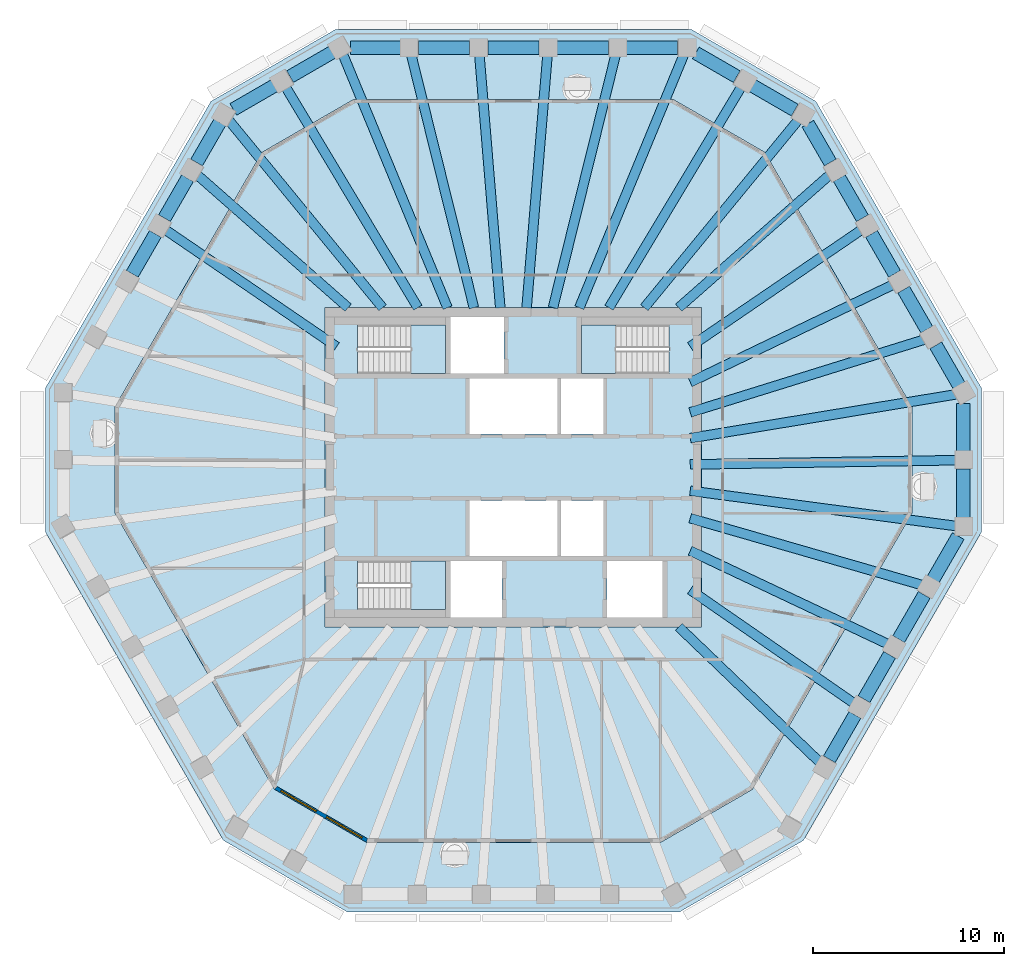
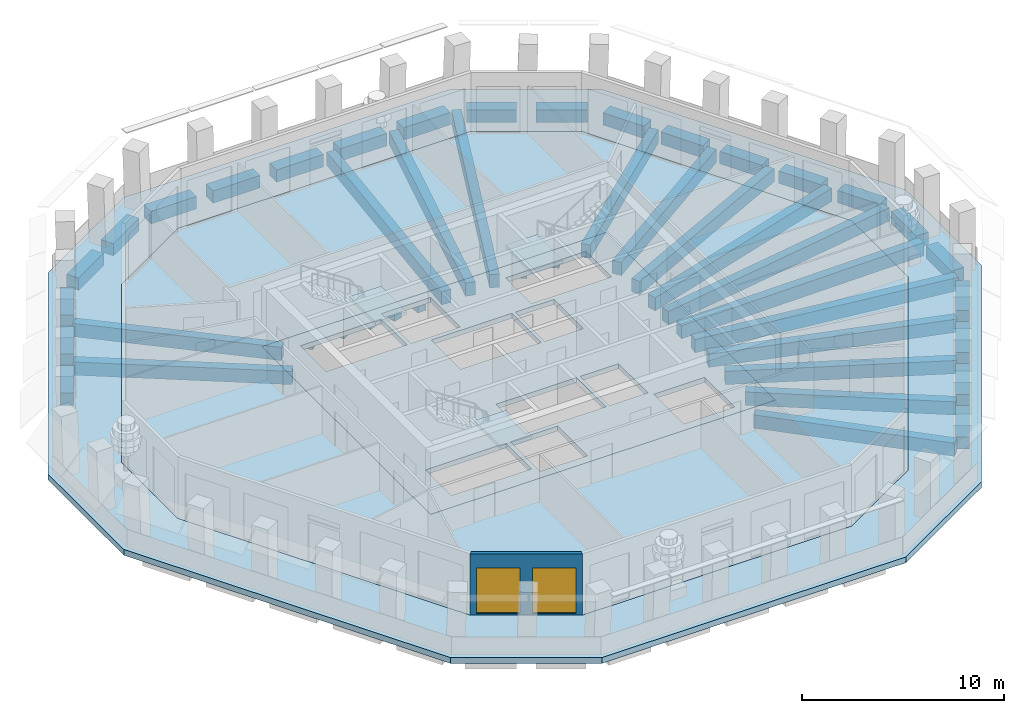
# One storey, part 2 of 11: 46 beams, 6 slabs, 2 windows, 1 wall, 2 openings, 3 elements without a shape of their own.
"""IFC4 building model written with IfcOpenShell, lengths in metres."""

from ifc_helpers import new_model, si_unit, direction, frame, frame_2d, origin, origin_2d, place, context, subcontext, project, spatial, polyline, rectangle, outline, extrude, material, layer, layer_set, material_profile, profile_set, type_object, element, fill, aggregate, save


model = new_model("IFC4")

# Units and contexts
model_context = context("Model", 3, precision=1e-05, world=origin(), true_north=direction((0.0, 1.0)))
body_context = subcontext(model_context, "Body", "Model", "MODEL_VIEW")
ifc_project = project(units=[si_unit("LENGTHUNIT", "METRE"), si_unit("AREAUNIT", "SQUARE_METRE"), si_unit("VOLUMEUNIT", "CUBIC_METRE"), si_unit("PLANEANGLEUNIT", "RADIAN"), si_unit("MASSUNIT", "GRAM", prefix="KILO")], contexts=[model_context])

# Site, building, storey
site_placement = place(None, origin())
site = spatial("IfcSite", under=ifc_project, at=site_placement, CompositionType="ELEMENT")
building_placement = place(site_placement, origin())
building = spatial("IfcBuilding", under=site, at=building_placement, Name="Frailejon Research Tower", CompositionType="ELEMENT")
storey_placement = place(building_placement, frame((0.0, 0.0, 275.0)))
storey = spatial("IfcBuildingStorey", under=building, at=storey_placement, Name="L60", CompositionType="ELEMENT", Elevation=275.0)

# Beams
ifc_material_1 = material(Name="Concrete C60/75", Category="concrete")
ifc_material_profile_1 = material_profile(ifc_material_1, rectangle(XDim=0.5, YDim=0.800048828125, at=origin_2d()), Name="Girder 500x800")
ifc_profile_set_1 = profile_set([ifc_material_profile_1], Name="Concrete C60/75")
beam_type_1 = type_object("IfcBeamType", Name="Girder 500x800", PredefinedType="BEAM", material=ifc_profile_set_1)
beam_1_placement = place(storey_placement, frame((23.215087890625, -3.08154296875, -0.699951171875), z_axis=(-0.991304470794, 0.131588168856, 0.0), x_axis=(-0.131588168856, -0.991304470794, 0.0)))
element("IfcBeam", 1, at=beam_1_placement, inside=storey, type_object=beam_type_1, Name="Girder 500x800", PredefinedType="BEAM", context=body_context, shape_type="SweptSolid", body=[
    extrude(rectangle(XDim=0.5, YDim=0.800048828125, at=origin_2d()), origin(), (0.0, 0.0, 1.0), 14.087646484375),
])
beam_2_placement = place(storey_placement, frame((23.216552734375, 0.371826171875, -0.699951171875), z_axis=(-0.999871832148, -0.016009974273, 0.0), x_axis=(0.016009974273, -0.999871832148, 0.0)))
element("IfcBeam", 2, at=beam_2_placement, inside=storey, type_object=beam_type_1, Name="Girder 500x800", PredefinedType="BEAM", context=body_context, shape_type="SweptSolid", body=[
    extrude(rectangle(XDim=0.5, YDim=0.800048828125, at=origin_2d()), origin(), (0.0, 0.0, 1.0), 13.96826171875),
])
beam_3_placement = place(storey_placement, frame((23.188720703125, 3.821044921875, -0.699951171875), z_axis=(-0.986693538595, -0.162591084916, 0.0), x_axis=(0.162591084916, -0.986693538595, 0.0)))
element("IfcBeam", 3, at=beam_3_placement, inside=storey, type_object=beam_type_1, Name="Girder 500x800", PredefinedType="BEAM", context=body_context, shape_type="SweptSolid", body=[
    extrude(rectangle(XDim=0.5, YDim=0.800048828125, at=origin_2d()), origin(), (0.0, 0.0, 1.0), 14.126708984375),
])
beam_4_placement = place(storey_placement, frame((21.53759765625, 6.69287109375, -0.699951171875), z_axis=(-0.95495479724, -0.296751301983, 0.0), x_axis=(0.296751301983, -0.95495479724, 0.0)))
element("IfcBeam", 4, at=beam_4_placement, inside=storey, type_object=beam_type_1, Name="Girder 500x800", PredefinedType="BEAM", context=body_context, shape_type="SweptSolid", body=[
    extrude(rectangle(XDim=0.5, YDim=0.800048828125, at=origin_2d()), origin(), (0.0, 0.0, 1.0), 12.8671875),
])
beam_5_placement = place(storey_placement, frame((19.8828125, 9.565185546875, -0.699951171875), z_axis=(-0.901143004074, -0.433521955854, 0.0), x_axis=(0.433521955854, -0.901143004074, 0.0)))
element("IfcBeam", 5, at=beam_5_placement, inside=storey, type_object=beam_type_1, Name="Girder 500x800", PredefinedType="BEAM", context=body_context, shape_type="SweptSolid", body=[
    extrude(rectangle(XDim=0.5, YDim=0.800048828125, at=origin_2d()), origin(), (0.0, 0.0, 1.0), 11.79931640625),
])
beam_6_placement = place(storey_placement, frame((18.22509765625, 12.4365234375, -0.699951171875), z_axis=(-0.826007659991, -0.563658891207, 0.0), x_axis=(0.563658891207, -0.826007659991, 0.0)))
element("IfcBeam", 6, at=beam_6_placement, inside=storey, type_object=beam_type_1, Name="Girder 500x800", PredefinedType="BEAM", context=body_context, shape_type="SweptSolid", body=[
    extrude(rectangle(XDim=0.5, YDim=0.800048828125, at=origin_2d()), origin(), (0.0, 0.0, 1.0), 10.86572265625),
])
beam_7_placement = place(storey_placement, frame((16.561279296875, 15.313232421875, -0.699951171875), z_axis=(-0.750660667488, -0.660687946225, 0.0), x_axis=(0.660687946225, -0.750660667488, 0.0)))
element("IfcBeam", 7, at=beam_7_placement, inside=storey, type_object=beam_type_1, Name="Girder 500x800", PredefinedType="BEAM", context=body_context, shape_type="SweptSolid", body=[
    extrude(rectangle(XDim=0.5, YDim=0.800048828125, at=origin_2d()), origin(), (0.0, 0.0, 1.0), 10.539306640625),
])
beam_8_placement = place(storey_placement, frame((14.919921875, 18.19189453125, -0.699951171875), z_axis=(-0.634138766745, -0.773219260308, 0.0), x_axis=(0.773219260308, -0.634138766745, 0.0)))
element("IfcBeam", 8, at=beam_8_placement, inside=storey, type_object=beam_type_1, Name="Girder 500x800", PredefinedType="BEAM", context=body_context, shape_type="SweptSolid", body=[
    extrude(rectangle(XDim=0.5, YDim=0.800048828125, at=origin_2d()), origin(), (0.0, 0.0, 1.0), 12.728271484375),
])
beam_9_placement = place(storey_placement, frame((11.930419921875, 19.920166015625, -0.699951171875), z_axis=(-0.513808752891, -0.857904753136, 0.0), x_axis=(0.857904753136, -0.513808752891, 0.0)))
element("IfcBeam", 9, at=beam_9_placement, inside=storey, type_object=beam_type_1, Name="Girder 500x800", PredefinedType="BEAM", context=body_context, shape_type="SweptSolid", body=[
    extrude(rectangle(XDim=0.5, YDim=0.800048828125, at=origin_2d()), origin(), (0.0, 0.0, 1.0), 13.486328125),
])
beam_10_placement = place(storey_placement, frame((8.92578125, 21.613525390625, -0.699951171875), z_axis=(-0.381710549469, -0.924281913933, 0.0), x_axis=(0.924281913933, -0.381710549469, 0.0)))
element("IfcBeam", 10, at=beam_10_placement, inside=storey, type_object=beam_type_1, Name="Girder 500x800", PredefinedType="BEAM", context=body_context, shape_type="SweptSolid", body=[
    extrude(rectangle(XDim=0.5, YDim=0.800048828125, at=origin_2d()), origin(), (0.0, 0.0, 1.0), 14.35009765625),
])
beam_11_placement = place(storey_placement, frame((5.357177734375, 21.62060546875, -0.699951171875), z_axis=(-0.24051829059, -0.970644606378, 0.0), x_axis=(0.970644606378, -0.24051829059, 0.0)))
element("IfcBeam", 11, at=beam_11_placement, inside=storey, type_object=beam_type_1, Name="Girder 500x800", PredefinedType="BEAM", context=body_context, shape_type="SweptSolid", body=[
    extrude(rectangle(XDim=0.5, YDim=0.800048828125, at=origin_2d()), origin(), (0.0, 0.0, 1.0), 13.671875),
])
for number, where, z_axis, x_axis, name in (
    (12, (1.785888671875, 21.62451171875, -0.699951171875), (-0.082299132811, -0.996607672426, 0.0), (0.996607672426, -0.082299132811, 0.0), "Girder 500x800"),
    (13, (-1.785888671875, 21.62451171875, -0.699951171875), (0.082299132811, -0.996607672426, 0.0), (0.996607672426, 0.082299132811, 0.0), "Girder 500x800"),
):
    element("IfcBeam", number, at=place(storey_placement, frame(where, z_axis=z_axis, x_axis=x_axis)), inside=storey, type_object=beam_type_1, Name=name, PredefinedType="BEAM", context=body_context, shape_type="SweptSolid", body=[
        extrude(rectangle(XDim=0.5, YDim=0.800048828125, at=origin_2d()), origin(), (0.0, 0.0, 1.0), 13.319580078125),
    ])
beam_12_placement = place(storey_placement, frame((-5.357177734375, 21.62060546875, -0.699951171875), z_axis=(0.24051829059, -0.970644606378, 0.0), x_axis=(0.970644606378, 0.24051829059, 0.0)))
element("IfcBeam", 14, at=beam_12_placement, inside=storey, type_object=beam_type_1, Name="Girder 500x800", PredefinedType="BEAM", context=body_context, shape_type="SweptSolid", body=[
    extrude(rectangle(XDim=0.5, YDim=0.800048828125, at=origin_2d()), origin(), (0.0, 0.0, 1.0), 13.671875),
])
beam_13_placement = place(storey_placement, frame((-8.93896484375, 21.645751953125, -0.699951171875), z_axis=(0.381703104876, -0.924284988371, 0.0), x_axis=(0.924284988371, 0.381703104876, 0.0)))
element("IfcBeam", 15, at=beam_13_placement, inside=storey, type_object=beam_type_1, Name="Girder 500x800", PredefinedType="BEAM", context=body_context, shape_type="SweptSolid", body=[
    extrude(rectangle(XDim=0.5, YDim=0.800048828125, at=origin_2d()), origin(), (0.0, 0.0, 1.0), 14.384765625),
])
beam_14_placement = place(storey_placement, frame((-11.930419921875, 19.920166015625, -0.699951171875), z_axis=(0.513808752891, -0.857904753136, 0.0), x_axis=(0.857904753136, 0.513808752891, 0.0)))
element("IfcBeam", 16, at=beam_14_placement, inside=storey, type_object=beam_type_1, Name="Girder 500x800", PredefinedType="BEAM", context=body_context, shape_type="SweptSolid", body=[
    extrude(rectangle(XDim=0.5, YDim=0.800048828125, at=origin_2d()), origin(), (0.0, 0.0, 1.0), 13.486328125),
])
beam_15_placement = place(storey_placement, frame((-14.9033203125, 18.17138671875, -0.699951171875), z_axis=(0.634149002723, -0.773210865382, 0.0), x_axis=(0.773210865382, 0.634149002723, 0.0)))
element("IfcBeam", 17, at=beam_15_placement, inside=storey, type_object=beam_type_1, Name="Girder 500x800", PredefinedType="BEAM", context=body_context, shape_type="SweptSolid", body=[
    extrude(rectangle(XDim=0.5, YDim=0.800048828125, at=origin_2d()), origin(), (0.0, 0.0, 1.0), 12.701904296875),
])
beam_16_placement = place(storey_placement, frame((-16.561279296875, 15.313232421875, -0.699951171875), z_axis=(0.750660667488, -0.660687946225, 0.0), x_axis=(0.660687946225, 0.750660667488, 0.0)))
element("IfcBeam", 18, at=beam_16_placement, inside=storey, type_object=beam_type_1, Name="Girder 500x800", PredefinedType="BEAM", context=body_context, shape_type="SweptSolid", body=[
    extrude(rectangle(XDim=0.5, YDim=0.800048828125, at=origin_2d()), origin(), (0.0, 0.0, 1.0), 10.539306640625),
])
beam_17_placement = place(storey_placement, frame((-18.22509765625, 12.4365234375, -0.699951171875), z_axis=(0.826007659991, -0.563658891207, 0.0), x_axis=(0.563658891207, 0.826007659991, 0.0)))
element("IfcBeam", 19, at=beam_17_placement, inside=storey, type_object=beam_type_1, Name="Girder 500x800", PredefinedType="BEAM", context=body_context, shape_type="SweptSolid", body=[
    extrude(rectangle(XDim=0.5, YDim=0.800048828125, at=origin_2d()), origin(), (0.0, 0.0, 1.0), 10.86572265625),
])
beam_18_placement = place(storey_placement, frame((16.045166015625, -15.4501953125, -0.699951171875), z_axis=(-0.72135591172, 0.692564544737, 0.0), x_axis=(-0.692564544737, -0.72135591172, 0.0)))
element("IfcBeam", 20, at=beam_18_placement, inside=storey, type_object=beam_type_1, Name="Girder 500x800", PredefinedType="BEAM", context=body_context, shape_type="SweptSolid", body=[
    extrude(rectangle(XDim=0.5, YDim=0.800048828125, at=origin_2d()), origin(), (0.0, 0.0, 1.0), 10.251953125),
])
beam_19_placement = place(storey_placement, frame((17.834228515625, -12.35888671875, -0.699951171875), z_axis=(-0.821932068524, 0.5695855289, 0.0), x_axis=(-0.5695855289, -0.821932068524, 0.0)))
element("IfcBeam", 21, at=beam_19_placement, inside=storey, type_object=beam_type_1, Name="Girder 500x800", PredefinedType="BEAM", context=body_context, shape_type="SweptSolid", body=[
    extrude(rectangle(XDim=0.5, YDim=0.800048828125, at=origin_2d()), origin(), (0.0, 0.0, 1.0), 10.44384765625),
])
beam_20_placement = place(storey_placement, frame((19.620361328125, -9.265380859375, -0.699951171875), z_axis=(-0.904245221853, 0.427013558047, 0.0), x_axis=(-0.427013558047, -0.904245221853, 0.0)))
element("IfcBeam", 22, at=beam_20_placement, inside=storey, type_object=beam_type_1, Name="Girder 500x800", PredefinedType="BEAM", context=body_context, shape_type="SweptSolid", body=[
    extrude(rectangle(XDim=0.5, YDim=0.800048828125, at=origin_2d()), origin(), (0.0, 0.0, 1.0), 11.468505859375),
])
beam_21_placement = place(storey_placement, frame((21.402587890625, -6.1708984375, -0.699951171875), z_axis=(-0.960858282065, 0.277040361295, 0.0), x_axis=(-0.277040361295, -0.960858282065, 0.0)))
element("IfcBeam", 23, at=beam_21_placement, inside=storey, type_object=beam_type_1, Name="Girder 500x800", PredefinedType="BEAM", context=body_context, shape_type="SweptSolid", body=[
    extrude(rectangle(XDim=0.5, YDim=0.800048828125, at=origin_2d()), origin(), (0.0, 0.0, 1.0), 12.647705078125),
])
ifc_material_2 = material(Name="Concrete C60/75", Category="concrete")
ifc_material_profile_2 = material_profile(ifc_material_2, rectangle(XDim=0.699951171875, YDim=0.75, at=origin_2d()), Name="Spandrel 700x750")
ifc_profile_set_2 = profile_set([ifc_material_profile_2], Name="Concrete C60/75")
beam_type_2 = type_object("IfcBeamType", Name="Spandrel 700x750", PredefinedType="BEAM", material=ifc_profile_set_2)
beam_22_placement = place(storey_placement, frame((23.54150390625, -2.64990234375, -0.72509765625), z_axis=(0.0, 1.0, 0.0), x_axis=(-1.0, 0.0, 0.0)))
element("IfcBeam", 24, at=beam_22_placement, inside=storey, type_object=beam_type_2, Name="Spandrel 700x750", PredefinedType="BEAM", context=body_context, shape_type="SweptSolid", body=[
    extrude(rectangle(XDim=0.699951171875, YDim=0.75, at=origin_2d()), origin(), (0.0, 0.0, 1.0), 2.552001953125),
])
beam_23_placement = place(storey_placement, frame((23.54150390625, 0.85205078125, -0.72509765625), z_axis=(0.0, 1.0, 0.0), x_axis=(-1.0, 0.0, 0.0)))
element("IfcBeam", 25, at=beam_23_placement, inside=storey, type_object=beam_type_2, Name="Spandrel 700x750", PredefinedType="BEAM", context=body_context, shape_type="SweptSolid", body=[
    extrude(rectangle(XDim=0.699951171875, YDim=0.75, at=origin_2d()), origin(), (0.0, 0.0, 1.0), 2.478515625),
])
for number, where, z_axis, x_axis, name in (
    (26, (23.303955078125, 4.29052734375, -0.72509765625), (-0.499999616612, 0.866025625133, 0.0), (-0.866025625133, -0.499999616612, 0.0), "Spandrel 700x750"),
    (27, (21.621826171875, 7.204345703125, -0.72509765625), (-0.499999616612, 0.866025625133, 0.0), (-0.866025625133, -0.499999616612, 0.0), "Spandrel 700x750"),
):
    element("IfcBeam", number, at=place(storey_placement, frame(where, z_axis=z_axis, x_axis=x_axis)), inside=storey, type_object=beam_type_2, Name=name, PredefinedType="BEAM", context=body_context, shape_type="SweptSolid", body=[
        extrude(rectangle(XDim=0.699951171875, YDim=0.75, at=origin_2d()), origin(), (0.0, 0.0, 1.0), 2.41455078125),
    ])
for number, where, z_axis, x_axis, name in (
    (28, (19.939453125, 10.1181640625, -0.72509765625), (-0.500043402633, 0.866000343812, 0.0), (-0.866000343812, -0.500043402633, 0.0), "Spandrel 700x750"),
    (29, (18.257080078125, 13.031982421875, -0.72509765625), (-0.500043402633, 0.866000343812, 0.0), (-0.866000343812, -0.500043402633, 0.0), "Spandrel 700x750"),
):
    element("IfcBeam", number, at=place(storey_placement, frame(where, z_axis=z_axis, x_axis=x_axis)), inside=storey, type_object=beam_type_2, Name=name, PredefinedType="BEAM", context=body_context, shape_type="SweptSolid", body=[
        extrude(rectangle(XDim=0.699951171875, YDim=0.75, at=origin_2d()), origin(), (0.0, 0.0, 1.0), 2.414306640625),
    ])
beam_24_placement = place(storey_placement, frame((16.574951171875, 15.945556640625, -0.72509765625), z_axis=(-0.500053448294, 0.865994543198, 0.0), x_axis=(-0.865994543198, -0.500053448294, 0.0)))
element("IfcBeam", 30, at=beam_24_placement, inside=storey, type_object=beam_type_2, Name="Spandrel 700x750", PredefinedType="BEAM", context=body_context, shape_type="SweptSolid", body=[
    extrude(rectangle(XDim=0.699951171875, YDim=0.75, at=origin_2d()), origin(), (0.0, 0.0, 1.0), 2.341064453125),
])
beam_25_placement = place(storey_placement, frame((14.71875, 18.685546875, -0.72509765625), z_axis=(-0.866032638483, 0.499987468925, 0.0), x_axis=(-0.499987468925, -0.866032638483, 0.0)))
element("IfcBeam", 31, at=beam_25_placement, inside=storey, type_object=beam_type_2, Name="Spandrel 700x750", PredefinedType="BEAM", context=body_context, shape_type="SweptSolid", body=[
    extrude(rectangle(XDim=0.699951171875, YDim=0.75, at=origin_2d()), origin(), (0.0, 0.0, 1.0), 2.5517578125),
])
beam_26_placement = place(storey_placement, frame((11.68603515625, 20.4365234375, -0.72509765625), z_axis=(-0.866028115054, 0.499995303914, 0.0), x_axis=(-0.499995303914, -0.866028115054, 0.0)))
element("IfcBeam", 32, at=beam_26_placement, inside=storey, type_object=beam_type_2, Name="Spandrel 700x750", PredefinedType="BEAM", context=body_context, shape_type="SweptSolid", body=[
    extrude(rectangle(XDim=0.699951171875, YDim=0.75, at=origin_2d()), origin(), (0.0, 0.0, 1.0), 2.478515625),
])
for number, where, z_axis, x_axis, name in (
    (33, (8.589599609375, 21.949951171875, -0.72509765625), (-1.0, 0.0, 0.0), (0.0, -1.0, 0.0), "Spandrel 700x750"),
    (34, (4.963623046875, 21.949951171875, -0.72509765625), (-1.0, 0.0, 0.0), (0.0, -1.0, 0.0), "Spandrel 700x750"),
    (35, (1.337890625, 21.949951171875, -0.72509765625), (-1.0, 0.0, 0.0), (0.0, -1.0, 0.0), "Spandrel 700x750"),
    (36, (-2.287841796875, 21.949951171875, -0.72509765625), (-1.0, 0.0, 0.0), (0.0, -1.0, 0.0), "Spandrel 700x750"),
):
    element("IfcBeam", number, at=place(storey_placement, frame(where, z_axis=z_axis, x_axis=x_axis)), inside=storey, type_object=beam_type_2, Name=name, PredefinedType="BEAM", context=body_context, shape_type="SweptSolid", body=[
        extrude(rectangle(XDim=0.699951171875, YDim=0.75, at=origin_2d()), origin(), (0.0, 0.0, 1.0), 2.67578125),
    ])
beam_27_placement = place(storey_placement, frame((-5.913818359375, 21.949951171875, -0.72509765625), z_axis=(-1.0, 0.0, 0.0), x_axis=(0.0, -1.0, 0.0)))
element("IfcBeam", 37, at=beam_27_placement, inside=storey, type_object=beam_type_2, Name="Spandrel 700x750", PredefinedType="BEAM", context=body_context, shape_type="SweptSolid", body=[
    extrude(rectangle(XDim=0.699951171875, YDim=0.75, at=origin_2d()), origin(), (0.0, 0.0, 1.0), 2.602294921875),
])
beam_28_placement = place(storey_placement, frame((-9.47607421875, 21.71240234375, -0.72509765625), z_axis=(-0.866032638483, -0.499987468925, 0.0), x_axis=(0.499987468925, -0.866032638483, 0.0)))
element("IfcBeam", 38, at=beam_28_placement, inside=storey, type_object=beam_type_2, Name="Spandrel 700x750", PredefinedType="BEAM", context=body_context, shape_type="SweptSolid", body=[
    extrude(rectangle(XDim=0.699951171875, YDim=0.75, at=origin_2d()), origin(), (0.0, 0.0, 1.0), 2.5517578125),
])
beam_29_placement = place(storey_placement, frame((-12.5087890625, 19.96142578125, -0.72509765625), z_axis=(-0.866028115054, -0.499995303914, 0.0), x_axis=(0.499995303914, -0.866028115054, 0.0)))
element("IfcBeam", 39, at=beam_29_placement, inside=storey, type_object=beam_type_2, Name="Spandrel 700x750", PredefinedType="BEAM", context=body_context, shape_type="SweptSolid", body=[
    extrude(rectangle(XDim=0.699951171875, YDim=0.75, at=origin_2d()), origin(), (0.0, 0.0, 1.0), 2.478515625),
])
beam_30_placement = place(storey_placement, frame((-15.36767578125, 18.03662109375, -0.72509765625), z_axis=(-0.499999616612, -0.866025625133, 0.0), x_axis=(0.866025625133, -0.499999616612, 0.0)))
element("IfcBeam", 40, at=beam_30_placement, inside=storey, type_object=beam_type_2, Name="Spandrel 700x750", PredefinedType="BEAM", context=body_context, shape_type="SweptSolid", body=[
    extrude(rectangle(XDim=0.699951171875, YDim=0.75, at=origin_2d()), origin(), (0.0, 0.0, 1.0), 2.41455078125),
])
for number, where, z_axis, x_axis, name in (
    (41, (-17.0498046875, 15.122802734375, -0.72509765625), (-0.500043402633, -0.866000343812, 0.0), (0.866000343812, -0.500043402633, 0.0), "Spandrel 700x750"),
    (42, (-18.732177734375, 12.208984375, -0.72509765625), (-0.500043402633, -0.866000343812, 0.0), (0.866000343812, -0.500043402633, 0.0), "Spandrel 700x750"),
):
    element("IfcBeam", number, at=place(storey_placement, frame(where, z_axis=z_axis, x_axis=x_axis)), inside=storey, type_object=beam_type_2, Name=name, PredefinedType="BEAM", context=body_context, shape_type="SweptSolid", body=[
        extrude(rectangle(XDim=0.699951171875, YDim=0.75, at=origin_2d()), origin(), (0.0, 0.0, 1.0), 2.414306640625),
    ])
beam_31_placement = place(storey_placement, frame((16.52734375, -15.273681640625, -0.72509765625), z_axis=(0.499985715088, 0.866033651025, 0.0), x_axis=(-0.866033651025, 0.499985715088, 0.0)))
element("IfcBeam", 43, at=beam_31_placement, inside=storey, type_object=beam_type_2, Name="Spandrel 700x750", PredefinedType="BEAM", context=body_context, shape_type="SweptSolid", body=[
    extrude(rectangle(XDim=0.699951171875, YDim=0.75, at=origin_2d()), origin(), (0.0, 0.0, 1.0), 2.67578125),
])
beam_32_placement = place(storey_placement, frame((18.34033203125, -12.133544921875, -0.72509765625), z_axis=(0.500025224267, 0.866010840057, 0.0), x_axis=(-0.866010840057, 0.500025224267, 0.0)))
element("IfcBeam", 44, at=beam_32_placement, inside=storey, type_object=beam_type_2, Name="Spandrel 700x750", PredefinedType="BEAM", context=body_context, shape_type="SweptSolid", body=[
    extrude(rectangle(XDim=0.699951171875, YDim=0.75, at=origin_2d()), origin(), (0.0, 0.0, 1.0), 2.675537109375),
])
beam_33_placement = place(storey_placement, frame((20.1533203125, -8.99365234375, -0.72509765625), z_axis=(0.499985715088, 0.866033651025, 0.0), x_axis=(-0.866033651025, 0.499985715088, 0.0)))
element("IfcBeam", 45, at=beam_33_placement, inside=storey, type_object=beam_type_2, Name="Spandrel 700x750", PredefinedType="BEAM", context=body_context, shape_type="SweptSolid", body=[
    extrude(rectangle(XDim=0.699951171875, YDim=0.75, at=origin_2d()), origin(), (0.0, 0.0, 1.0), 2.67578125),
])
beam_34_placement = place(storey_placement, frame((21.966064453125, -5.853515625, -0.72509765625), z_axis=(0.500033749444, 0.866005917657, 0.0), x_axis=(-0.866005917657, 0.500033749444, 0.0)))
element("IfcBeam", 46, at=beam_34_placement, inside=storey, type_object=beam_type_2, Name="Spandrel 700x750", PredefinedType="BEAM", context=body_context, shape_type="SweptSolid", body=[
    extrude(rectangle(XDim=0.699951171875, YDim=0.75, at=origin_2d()), origin(), (0.0, 0.0, 1.0), 2.602294921875),
])

# Slabs
ifc_material_3 = material(Name="Concrete C50/60", Category="concrete")
ifc_layer_1 = layer(ifc_material_3, 0.300048828125)
ifc_layer_set_1 = layer_set([ifc_layer_1], Name="Core floor slab 300 C50/60")
slab_type_1 = type_object("IfcSlabType", Name="Core floor slab 300 C50/60", PredefinedType="FLOOR", material=ifc_layer_set_1)
slab_1_placement = place(storey_placement, frame((0.0, 0.0, -0.300048828125)))
element("IfcSlab", 47, at=slab_1_placement, inside=storey, type_object=slab_type_1, Name="Core floor slab", PredefinedType="FLOOR", context=body_context, shape_type="SweptSolid", body=[
    extrude(outline(polyline([(9.85009765625, -8.35009765625), (9.85009765625, 8.35009765625), (-9.85009765625, 8.35009765625), (-9.85009765625, -8.35009765625), (9.85009765625, -8.35009765625)]), holes=[polyline([(2.300048828125, 1.75), (2.300048828125, 4.64990234375), (-2.300048828125, 4.64990234375), (-2.300048828125, 1.75), (2.300048828125, 1.75)]), polyline([(4.699951171875, 1.75), (4.699951171875, 4.64990234375), (2.5, 4.64990234375), (2.5, 1.75), (4.699951171875, 1.75)]), polyline([(2.300048828125, -4.64990234375), (2.300048828125, -1.75), (-2.300048828125, -1.75), (-2.300048828125, -4.64990234375), (2.300048828125, -4.64990234375)]), polyline([(4.699951171875, -4.64990234375), (4.699951171875, -1.75), (2.5, -1.75), (2.5, -4.64990234375), (4.699951171875, -4.64990234375)]), polyline([(-8.14697265625, 4.89990234375), (-3.550048828125, 4.89990234375), (-3.550048828125, 7.449951171875), (-8.14697265625, 7.449951171875), (-8.14697265625, 4.89990234375)]), polyline([(-8.14697265625, -7.449951171875), (-3.550048828125, -7.449951171875), (-3.550048828125, -4.89990234375), (-8.14697265625, -4.89990234375), (-8.14697265625, -7.449951171875)]), polyline([(8.14697265625, 7.449951171875), (3.550048828125, 7.449951171875), (3.550048828125, 4.89990234375), (8.14697265625, 4.89990234375), (8.14697265625, 7.449951171875)]), polyline([(-0.60009765625, -7.85009765625), (-0.60009765625, -4.89990234375), (-3.300048828125, -4.89990234375), (-3.300048828125, -7.85009765625), (-0.60009765625, -7.85009765625)]), polyline([(7.800048828125, -7.85009765625), (7.800048828125, -4.89990234375), (4.89990234375, -4.89990234375), (4.89990234375, -7.85009765625), (7.800048828125, -7.85009765625)]), polyline([(-0.5, 4.89990234375), (-0.5, 7.85009765625), (-3.300048828125, 7.85009765625), (-3.300048828125, 4.89990234375), (-0.5, 4.89990234375)])]), origin(), (0.0, 0.0, 1.0), 0.300048828125),
])
ifc_material_4 = material(Name="Concrete C40/50", Category="concrete")
ifc_layer_2 = layer(ifc_material_4, 0.35009765625)
ifc_layer_set_2 = layer_set([ifc_layer_2], Name="Loggia slab 350")
slab_type_2 = type_object("IfcSlabType", Name="Loggia slab 350", PredefinedType="USERDEFINED", material=ifc_layer_set_2)
slab_2_placement = place(storey_placement, frame((0.0, 0.0, -0.35009765625)))
element("IfcSlab", 48, at=slab_2_placement, inside=storey, type_object=slab_type_2, Name="Loggia slab L60", ObjectType="LOGGIA", PredefinedType="USERDEFINED", context=body_context, shape_type="SweptSolid", body=[
    extrude(outline(polyline([(15.17236328125, -19.5205078125), (8.666015625, -23.277099609375), (-8.666015625, -23.277099609375), (-15.17236328125, -19.5205078125), (-24.491455078125, -3.37939453125), (-24.491455078125, 4.133544921875), (-15.82568359375, 19.1435546875), (-9.319091796875, 22.89990234375), (9.319091796875, 22.89990234375), (15.82568359375, 19.1435546875), (24.491455078125, 4.133544921875), (24.491455078125, -3.37939453125), (15.17236328125, -19.5205078125)]), holes=[polyline([(20.841552734375, 3.155517578125), (13.153564453125, 16.471435546875), (8.341064453125, 19.25), (-8.341064453125, 19.25), (-13.153564453125, 16.471435546875), (-20.841552734375, 3.155517578125), (-20.841552734375, -2.4013671875), (-12.50048828125, -16.8486328125), (-7.68798828125, -19.627197265625), (7.68798828125, -19.627197265625), (12.50048828125, -16.8486328125), (20.841552734375, -2.4013671875), (20.841552734375, 3.155517578125)])]), origin(), (0.0, 0.0, 1.0), 0.35009765625),
])
ifc_material_5 = material(Name="Concrete C40/50", Category="concrete")
ifc_layer_3 = layer(ifc_material_5, 0.300048828125)
ifc_layer_set_3 = layer_set([ifc_layer_3], Name="Slab typical 300")
slab_type_3 = type_object("IfcSlabType", Name="Slab typical 300", PredefinedType="FLOOR", material=ifc_layer_set_3)
slab_3_placement = place(storey_placement, frame((0.0, 0.0, -0.300048828125)))
element("IfcSlab", 49, at=slab_3_placement, inside=storey, type_object=slab_type_3, Name="Floor slab L60", PredefinedType="FLOOR", context=body_context, shape_type="SweptSolid", body=[
    extrude(outline(polyline([(20.841552734375, -2.4013671875), (20.841552734375, 3.155517578125), (13.153564453125, 16.471435546875), (8.341064453125, 19.25), (-8.341064453125, 19.25), (-13.153564453125, 16.471435546875), (-20.841552734375, 3.155517578125), (-20.841552734375, -2.4013671875), (-12.50048828125, -16.8486328125), (-7.68798828125, -19.627197265625), (7.68798828125, -19.627197265625), (12.50048828125, -16.8486328125), (20.841552734375, -2.4013671875)]), holes=[polyline([(9.25, 8.35009765625), (9.85009765625, 8.35009765625), (9.85009765625, -8.35009765625), (9.25, -8.35009765625), (-9.25, -8.35009765625), (-9.85009765625, -8.35009765625), (-9.85009765625, 8.35009765625), (-9.25, 8.35009765625), (9.25, 8.35009765625)])]), origin(), (0.0, 0.0, 1.0), 0.300048828125),
])

# Stair, slab
ifc_material_6 = material(Name="Concrete C50/60", Category="concrete")
stair_type = type_object("IfcStairType", Name="Exit stair 22 risers", PredefinedType="HALF_TURN_STAIR", material=ifc_material_6)
stair_1_placement = place(storey_placement, origin())
stair_1 = element("IfcStair", 50, at=stair_1_placement, inside=storey, type_object=stair_type, Name="L60 Exit stair ST1", PredefinedType="HALF_TURN_STAIR")
ifc_material_7 = material(Name="Concrete C50/60", Category="concrete")
ifc_layer_4 = layer(ifc_material_7, 0.199951171875)
ifc_layer_set_4 = layer_set([ifc_layer_4], Name="Stair landing slab 200")
slab_type_4 = type_object("IfcSlabType", Name="Stair landing slab 200", PredefinedType="LANDING", material=ifc_layer_set_4)
slab_4_placement = place(storey_placement, frame((0.0, 0.0, 1.800048828125)))
slab_4 = element("IfcSlab", 51, at=slab_4_placement, type_object=slab_type_4, Name="ST1 landing 1", PredefinedType="LANDING", context=body_context, shape_type="SweptSolid", body=[
    extrude(outline(polyline([(-5.35009765625, 4.89990234375), (-3.550048828125, 4.89990234375), (-3.550048828125, 7.449951171875), (-5.35009765625, 7.449951171875), (-5.35009765625, 4.89990234375)])), origin(), (0.0, 0.0, 1.0), 0.199951171875),
])
aggregate(stair_1, [slab_4])

stair_2_placement = place(storey_placement, origin())
stair_2 = element("IfcStair", 52, at=stair_2_placement, inside=storey, type_object=stair_type, Name="L60 Exit stair ST2", PredefinedType="HALF_TURN_STAIR")
slab_5_placement = place(storey_placement, frame((0.0, 0.0, 1.800048828125)))
slab_5 = element("IfcSlab", 53, at=slab_5_placement, type_object=slab_type_4, Name="ST2 landing 1", PredefinedType="LANDING", context=body_context, shape_type="SweptSolid", body=[
    extrude(outline(polyline([(-5.35009765625, -7.449951171875), (-3.550048828125, -7.449951171875), (-3.550048828125, -4.89990234375), (-5.35009765625, -4.89990234375), (-5.35009765625, -7.449951171875)])), origin(), (0.0, 0.0, 1.0), 0.199951171875),
])
aggregate(stair_2, [slab_5])

stair_3_placement = place(storey_placement, origin())
stair_3 = element("IfcStair", 54, at=stair_3_placement, inside=storey, type_object=stair_type, Name="L60 Exit stair ST3", PredefinedType="HALF_TURN_STAIR")
slab_6_placement = place(storey_placement, frame((0.0, 0.0, 1.800048828125)))
slab_6 = element("IfcSlab", 55, at=slab_6_placement, type_object=slab_type_4, Name="ST3 landing 1", PredefinedType="LANDING", context=body_context, shape_type="SweptSolid", body=[
    extrude(outline(polyline([(5.35009765625, 7.449951171875), (3.550048828125, 7.449951171875), (3.550048828125, 4.89990234375), (5.35009765625, 4.89990234375), (5.35009765625, 7.449951171875)])), origin(), (0.0, 0.0, 1.0), 0.199951171875),
])
aggregate(stair_3, [slab_6])

# Wall, openings, windows
ifc_material_8 = material(Name="Concrete C40/50 precast window wall panel", Category="concrete")
ifc_layer_5 = layer(ifc_material_8, 0.199951171875)
ifc_layer_set_5 = layer_set([ifc_layer_5], Name="Window wall 200")
wall_type = type_object("IfcWallType", Name="Window wall 200", PredefinedType="SOLIDWALL", material=ifc_layer_set_5)
wall_placement = place(storey_placement, frame((-12.42724609375, -16.775390625, 0.0), z_axis=(0.0, 0.0, 1.0), x_axis=(0.866026017613, -0.499998936816, 0.0)))
wall = element("IfcWall", 56, at=wall_placement, inside=storey, type_object=wall_type, Name="Exterior wall L60", PredefinedType="SOLIDWALL", context=body_context, shape_type="SweptSolid", body=[
    extrude(outline(polyline([(-0.02685546875, -0.10009765625), (1.08447265625, -0.10009765625), (2.196044921875, -0.10009765625), (3.307373046875, -0.10009765625), (4.4189453125, -0.10009765625), (5.5302734375, -0.10009765625), (5.4765625, 0.10009765625), (4.38671875, 0.10009765625), (3.296630859375, 0.10009765625), (2.206787109375, 0.10009765625), (1.11669921875, 0.10009765625), (0.02685546875, 0.10009765625), (-0.02685546875, -0.10009765625)])), origin(), (0.0, 0.0, 1.0), 3.699951171875),
])
opening_1_placement = place(wall_placement, frame((0.30078125, 0.0, 0.10009765625)))
opening_1 = element("IfcOpeningElement", 57, at=opening_1_placement, cuts=wall, Name="Opening W22", PredefinedType="OPENING", context=body_context, shape_type="SweptSolid", body=[
    extrude(rectangle(XDim=2.14990234375, YDim=2.75, at=frame_2d((1.074951171875, 1.375))), frame((0.0, 0.10986328125, 0.0), z_axis=(0.0, -1.0, 0.0), x_axis=(1.0, 0.0, 0.0)), (0.0, 0.0, 1.0), 0.219970703125),
])
opening_2_placement = place(wall_placement, frame((3.052490234375, 0.0, 0.10009765625)))
opening_2 = element("IfcOpeningElement", 58, at=opening_2_placement, cuts=wall, Name="Opening W22", PredefinedType="OPENING", context=body_context, shape_type="SweptSolid", body=[
    extrude(rectangle(XDim=2.14990234375, YDim=2.75, at=frame_2d((1.074951171875, 1.375))), frame((0.0, 0.10986328125, 0.0), z_axis=(0.0, -1.0, 0.0), x_axis=(1.0, 0.0, 0.0)), (0.0, 0.0, 1.0), 0.219970703125),
])
ifc_material_9 = material(Name="Aluminium framed double glazing", Category="aluminium")
window_type = type_object("IfcWindowType", Name="Window 2150x2750", PartitioningType="SINGLE_PANEL", PredefinedType="WINDOW", material=ifc_material_9)
window_1_placement = place(opening_1_placement, origin())
window_1 = element("IfcWindow", 59, at=window_1_placement, inside=storey, type_object=window_type, Name="Window L60", OverallHeight=2.75, OverallWidth=2.14990234375, PartitioningType="SINGLE_PANEL", PredefinedType="WINDOW", context=body_context, shape_type="SweptSolid", body=[
    extrude(rectangle(XDim=2.14990234375, YDim=2.75, at=frame_2d((1.074951171875, 1.375))), frame((0.0, 0.030029296875, 0.0), z_axis=(0.0, -1.0, 0.0), x_axis=(1.0, 0.0, 0.0)), (0.0, 0.0, 1.0), 0.06005859375),
])
fill(opening_1, window_1)
window_2_placement = place(opening_2_placement, origin())
window_2 = element("IfcWindow", 60, at=window_2_placement, inside=storey, type_object=window_type, Name="Window L60", OverallHeight=2.75, OverallWidth=2.14990234375, PartitioningType="SINGLE_PANEL", PredefinedType="WINDOW", context=body_context, shape_type="SweptSolid", body=[
    extrude(rectangle(XDim=2.14990234375, YDim=2.75, at=frame_2d((1.074951171875, 1.375))), frame((0.0, 0.030029296875, 0.0), z_axis=(0.0, -1.0, 0.0), x_axis=(1.0, 0.0, 0.0)), (0.0, 0.0, 1.0), 0.06005859375),
])
fill(opening_2, window_2)

save(model, "model.ifc")
